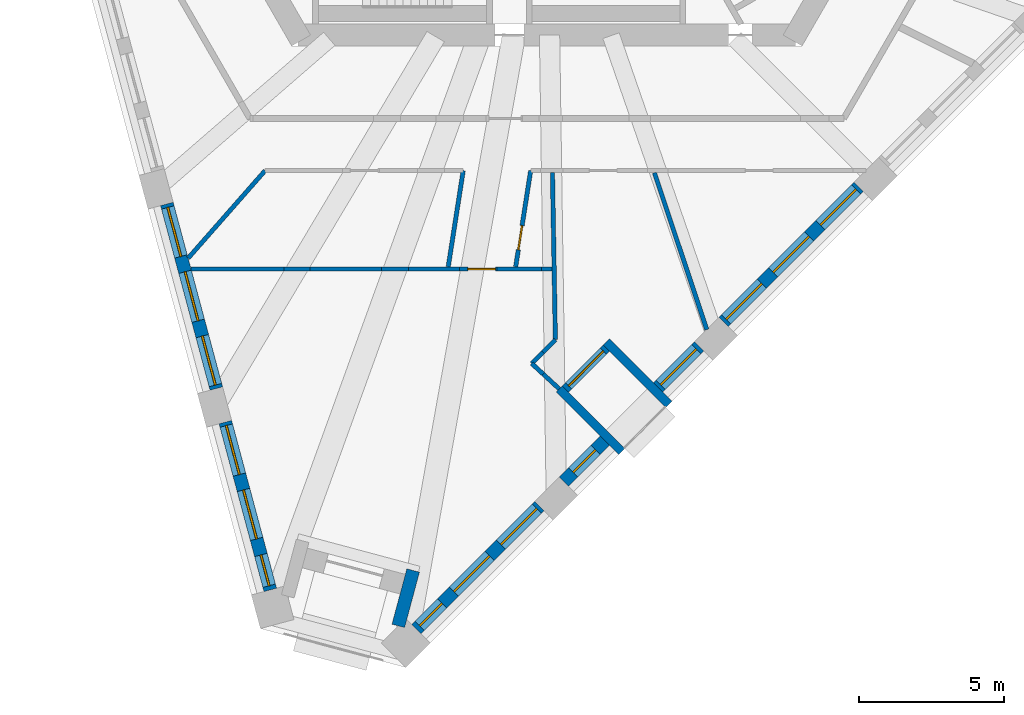
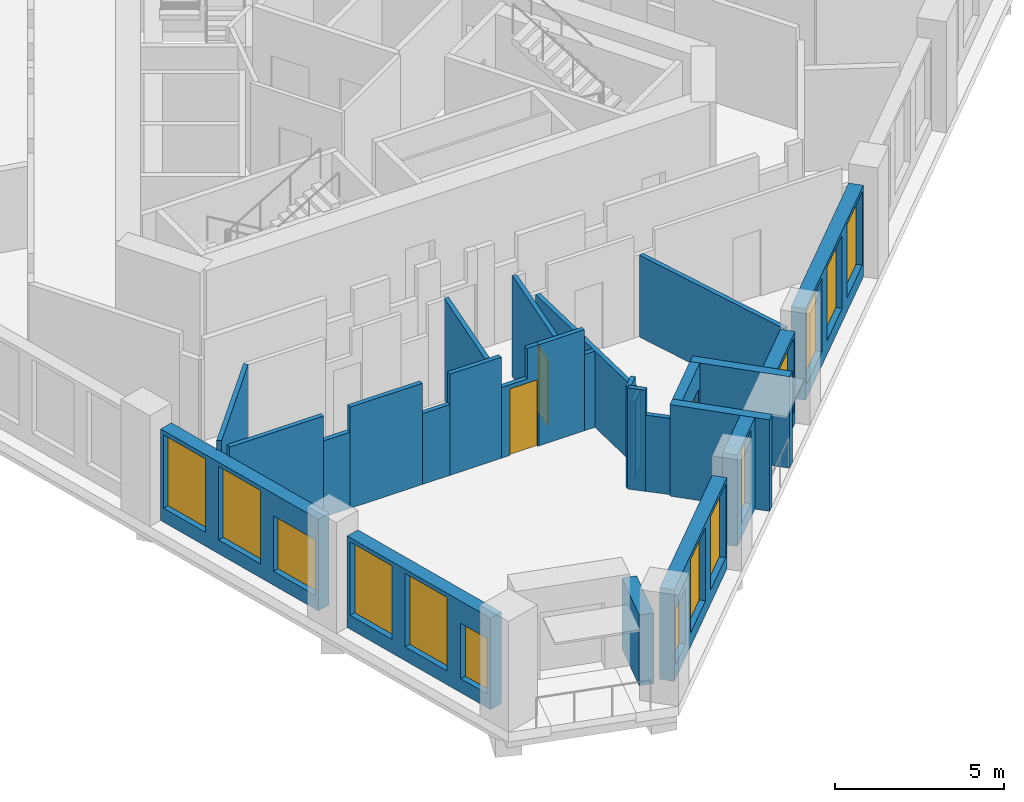
# One storey, part 2 of 13: 27 walls, 14 windows, 3 doors, 17 openings.
"""IFC4 building model written with IfcOpenShell, lengths in metres."""

from ifc_helpers import new_model, si_unit, direction, frame, frame_2d, origin, place, context, subcontext, project, spatial, polyline, rectangle, outline, extrude, material, layer, layer_set, type_object, element, fill, save


model = new_model("IFC4")

# Units and contexts
model_context = context("Model", 3, precision=1e-05, world=origin(), true_north=direction((0.0, 1.0)))
body_context = subcontext(model_context, "Body", "Model", "MODEL_VIEW")
ifc_project = project(units=[si_unit("LENGTHUNIT", "METRE"), si_unit("AREAUNIT", "SQUARE_METRE"), si_unit("VOLUMEUNIT", "CUBIC_METRE"), si_unit("PLANEANGLEUNIT", "RADIAN"), si_unit("MASSUNIT", "GRAM", prefix="KILO")], contexts=[model_context])

# Site, building, storey
site_placement = place(None, origin())
site = spatial("IfcSite", under=ifc_project, at=site_placement, CompositionType="ELEMENT")
building_placement = place(site_placement, origin())
building = spatial("IfcBuilding", under=site, at=building_placement, Name="Tramontana Tower", CompositionType="ELEMENT")
storey_placement = place(building_placement, frame((0.0, 0.0, 228.0)))
storey = spatial("IfcBuildingStorey", under=building, at=storey_placement, Name="L53", CompositionType="ELEMENT", Elevation=228.0)

# Wall, openings, windows
ifc_material_1 = material(Name="Precast concrete 60 MPa", Category="concrete")
ifc_layer_1 = layer(ifc_material_1, 0.449951171875)
ifc_layer_set_1 = layer_set([ifc_layer_1], Name="Precast concrete 60 MPa, 450 mm")
wall_type_1 = type_object("IfcWallType", Name="EW1 Stone-faced precast wall 450", PredefinedType="SOLIDWALL", material=ifc_layer_set_1)
wall_1_placement = place(storey_placement, frame((-13.11328125, -12.2041015625, 0.0), z_axis=(0.0, 0.0, 1.0), x_axis=(0.258835402268, -0.965921443251, 0.0)))
wall_1 = element("IfcWall", 1, at=wall_1_placement, inside=storey, type_object=wall_type_1, Name="External wall L53 face 0 bay 5", PredefinedType="SOLIDWALL", context=body_context, shape_type="SweptSolid", body=[
    extrude(rectangle(XDim=6.593994140625, YDim=0.449951171875, at=frame_2d((3.296875, 0.0))), origin(), (0.0, 0.0, 1.0), 3.300048828125),
])
opening_1_placement = place(wall_1_placement, frame((0.1240234375, 0.0, 0.5)))
opening_1 = element("IfcOpeningElement", 2, at=opening_1_placement, cuts=wall_1, Name="Opening M2", PredefinedType="OPENING", context=body_context, shape_type="SweptSolid", body=[
    extrude(rectangle(XDim=1.75, YDim=2.64990234375, at=frame_2d((0.875, 1.324951171875))), frame((0.0, 0.23486328125, 0.0), z_axis=(0.0, -1.0, 0.0), x_axis=(1.0, 0.0, 0.0)), (0.0, 0.0, 1.0), 0.469970703125),
])
opening_2_placement = place(wall_1_placement, frame((2.422119140625, 0.0, 0.5)))
opening_2 = element("IfcOpeningElement", 3, at=opening_2_placement, cuts=wall_1, Name="Opening M2", PredefinedType="OPENING", context=body_context, shape_type="SweptSolid", body=[
    extrude(rectangle(XDim=1.75, YDim=2.64990234375, at=frame_2d((0.875, 1.324951171875))), frame((0.0, 0.23486328125, 0.0), z_axis=(0.0, -1.0, 0.0), x_axis=(1.0, 0.0, 0.0)), (0.0, 0.0, 1.0), 0.469970703125),
])
opening_3_placement = place(wall_1_placement, frame((4.72021484375, 0.0, 0.5)))
opening_3 = element("IfcOpeningElement", 4, at=opening_3_placement, cuts=wall_1, Name="Opening M2L", PredefinedType="OPENING", context=body_context, shape_type="SweptSolid", body=[
    extrude(rectangle(XDim=1.75, YDim=2.0, at=frame_2d((0.875, 1.0))), frame((0.0, 0.23486328125, 0.0), z_axis=(0.0, -1.0, 0.0), x_axis=(1.0, 0.0, 0.0)), (0.0, 0.0, 1.0), 0.469970703125),
])
ifc_material_2 = material(Name="Aluminum frame, double glazing unit", Category="aluminium")
window_type_1 = type_object("IfcWindowType", Name="M2 Window 1.75 x 2.65", PartitioningType="SINGLE_PANEL", PredefinedType="WINDOW", material=ifc_material_2)
window_1_placement = place(opening_1_placement, origin())
window_1 = element("IfcWindow", 5, at=window_1_placement, inside=storey, type_object=window_type_1, Name="Window M2 L53 face 0 module 13", OverallHeight=2.64990234375, OverallWidth=1.75, PartitioningType="SINGLE_PANEL", PredefinedType="WINDOW", context=body_context, shape_type="SweptSolid", body=[
    extrude(rectangle(XDim=1.75, YDim=2.64990234375, at=frame_2d((0.875, 1.324951171875))), frame((0.0, 0.030029296875, 0.0), z_axis=(0.0, -1.0, 0.0), x_axis=(1.0, 0.0, 0.0)), (0.0, 0.0, 1.0), 0.06005859375),
])
fill(opening_1, window_1)
window_2_placement = place(opening_2_placement, origin())
window_2 = element("IfcWindow", 6, at=window_2_placement, inside=storey, type_object=window_type_1, Name="Window M2 L53 face 0 module 14", OverallHeight=2.64990234375, OverallWidth=1.75, PartitioningType="SINGLE_PANEL", PredefinedType="WINDOW", context=body_context, shape_type="SweptSolid", body=[
    extrude(rectangle(XDim=1.75, YDim=2.64990234375, at=frame_2d((0.875, 1.324951171875))), frame((0.0, 0.030029296875, 0.0), z_axis=(0.0, -1.0, 0.0), x_axis=(1.0, 0.0, 0.0)), (0.0, 0.0, 1.0), 0.06005859375),
])
fill(opening_2, window_2)
ifc_material_3 = material(Name="Aluminum frame, double glazing unit", Category="aluminium")
window_type_2 = type_object("IfcWindowType", Name="M2L Window 1.75 x 2", PartitioningType="SINGLE_PANEL", PredefinedType="WINDOW", material=ifc_material_3)
window_3_placement = place(opening_3_placement, origin())
window_3 = element("IfcWindow", 7, at=window_3_placement, inside=storey, type_object=window_type_2, Name="Window M2L L53 face 0 module 15", OverallHeight=2.0, OverallWidth=1.75, PartitioningType="SINGLE_PANEL", PredefinedType="WINDOW", context=body_context, shape_type="SweptSolid", body=[
    extrude(rectangle(XDim=1.75, YDim=2.0, at=frame_2d((0.875, 1.0))), frame((0.0, 0.030029296875, 0.0), z_axis=(0.0, -1.0, 0.0), x_axis=(1.0, 0.0, 0.0)), (0.0, 0.0, 1.0), 0.06005859375),
])
fill(opening_3, window_3)

wall_2_placement = place(storey_placement, frame((-11.095947265625, -19.732666015625, 0.0), z_axis=(0.0, 0.0, 1.0), x_axis=(0.258831089404, -0.965922598948, 0.0)))
wall_2 = element("IfcWall", 8, at=wall_2_placement, inside=storey, type_object=wall_type_1, Name="External wall L53 face 0 bay 6", PredefinedType="SOLIDWALL", context=body_context, shape_type="SweptSolid", body=[
    extrude(rectangle(XDim=5.994384765625, YDim=0.449951171875, at=frame_2d((2.9970703125, 0.0))), origin(), (0.0, 0.0, 1.0), 3.300048828125),
])
opening_4_placement = place(wall_2_placement, frame((0.1240234375, 0.0, 0.5)))
opening_4 = element("IfcOpeningElement", 9, at=opening_4_placement, cuts=wall_2, Name="Opening M2", PredefinedType="OPENING", context=body_context, shape_type="SweptSolid", body=[
    extrude(rectangle(XDim=1.75, YDim=2.64990234375, at=frame_2d((0.875, 1.324951171875))), frame((0.0, 0.23486328125, 0.0), z_axis=(0.0, -1.0, 0.0), x_axis=(1.0, 0.0, 0.0)), (0.0, 0.0, 1.0), 0.469970703125),
])
opening_5_placement = place(wall_2_placement, frame((2.422119140625, 0.0, 0.5)))
opening_5 = element("IfcOpeningElement", 10, at=opening_5_placement, cuts=wall_2, Name="Opening M2", PredefinedType="OPENING", context=body_context, shape_type="SweptSolid", body=[
    extrude(rectangle(XDim=1.75, YDim=2.64990234375, at=frame_2d((0.875, 1.324951171875))), frame((0.0, 0.23486328125, 0.0), z_axis=(0.0, -1.0, 0.0), x_axis=(1.0, 0.0, 0.0)), (0.0, 0.0, 1.0), 0.469970703125),
])
opening_6_placement = place(wall_2_placement, frame((4.7451171875, 0.0, 0.5)))
opening_6 = element("IfcOpeningElement", 11, at=opening_6_placement, cuts=wall_2, Name="Opening N2L", PredefinedType="OPENING", context=body_context, shape_type="SweptSolid", body=[
    extrude(rectangle(XDim=1.10009765625, YDim=2.0, at=frame_2d((0.550048828125, 1.0))), frame((0.0, 0.23486328125, 0.0), z_axis=(0.0, -1.0, 0.0), x_axis=(1.0, 0.0, 0.0)), (0.0, 0.0, 1.0), 0.469970703125),
])
window_4_placement = place(opening_4_placement, origin())
window_4 = element("IfcWindow", 12, at=window_4_placement, inside=storey, type_object=window_type_1, Name="Window M2 L53 face 0 module 16", OverallHeight=2.64990234375, OverallWidth=1.75, PartitioningType="SINGLE_PANEL", PredefinedType="WINDOW", context=body_context, shape_type="SweptSolid", body=[
    extrude(rectangle(XDim=1.75, YDim=2.64990234375, at=frame_2d((0.875, 1.324951171875))), frame((0.0, 0.030029296875, 0.0), z_axis=(0.0, -1.0, 0.0), x_axis=(1.0, 0.0, 0.0)), (0.0, 0.0, 1.0), 0.06005859375),
])
fill(opening_4, window_4)
window_5_placement = place(opening_5_placement, origin())
window_5 = element("IfcWindow", 13, at=window_5_placement, inside=storey, type_object=window_type_1, Name="Window M2 L53 face 0 module 17", OverallHeight=2.64990234375, OverallWidth=1.75, PartitioningType="SINGLE_PANEL", PredefinedType="WINDOW", context=body_context, shape_type="SweptSolid", body=[
    extrude(rectangle(XDim=1.75, YDim=2.64990234375, at=frame_2d((0.875, 1.324951171875))), frame((0.0, 0.030029296875, 0.0), z_axis=(0.0, -1.0, 0.0), x_axis=(1.0, 0.0, 0.0)), (0.0, 0.0, 1.0), 0.06005859375),
])
fill(opening_5, window_5)
ifc_material_4 = material(Name="Aluminum frame, double glazing unit", Category="aluminium")
window_type_3 = type_object("IfcWindowType", Name="N2L Window 1.1 x 2", PartitioningType="SINGLE_PANEL", PredefinedType="WINDOW", material=ifc_material_4)
window_6_placement = place(opening_6_placement, origin())
window_6 = element("IfcWindow", 14, at=window_6_placement, inside=storey, type_object=window_type_3, Name="Window N2L L53 face 0 module 18", OverallHeight=2.0, OverallWidth=1.10009765625, PartitioningType="SINGLE_PANEL", PredefinedType="WINDOW", context=body_context, shape_type="SweptSolid", body=[
    extrude(rectangle(XDim=1.10009765625, YDim=2.0, at=frame_2d((0.550048828125, 1.0))), frame((0.0, 0.030029296875, 0.0), z_axis=(0.0, -1.0, 0.0), x_axis=(1.0, 0.0, 0.0)), (0.0, 0.0, 1.0), 0.06005859375),
])
fill(opening_6, window_6)

wall_3_placement = place(storey_placement, frame((-4.49560546875, -26.87548828125, 0.0), z_axis=(0.0, 0.0, 1.0), x_axis=(0.707106781187, 0.707106781187, 0.0)))
wall_3 = element("IfcWall", 15, at=wall_3_placement, inside=storey, type_object=wall_type_1, Name="External wall L53 face 1 bay 1", PredefinedType="SOLIDWALL", context=body_context, shape_type="SweptSolid", body=[
    extrude(rectangle(XDim=5.994140625, YDim=0.449951171875, at=frame_2d((2.9970703125, 0.0))), origin(), (0.0, 0.0, 1.0), 3.300048828125),
])
opening_7_placement = place(wall_3_placement, frame((0.14892578125, 0.0, 0.5)))
opening_7 = element("IfcOpeningElement", 16, at=opening_7_placement, cuts=wall_3, Name="Opening N2L", PredefinedType="OPENING", context=body_context, shape_type="SweptSolid", body=[
    extrude(rectangle(XDim=1.10009765625, YDim=2.0, at=frame_2d((0.550048828125, 1.0))), frame((0.0, 0.23486328125, 0.0), z_axis=(0.0, -1.0, 0.0), x_axis=(1.0, 0.0, 0.0)), (0.0, 0.0, 1.0), 0.469970703125),
])
opening_8_placement = place(wall_3_placement, frame((1.822021484375, 0.0, 0.5)))
opening_8 = element("IfcOpeningElement", 17, at=opening_8_placement, cuts=wall_3, Name="Opening M2", PredefinedType="OPENING", context=body_context, shape_type="SweptSolid", body=[
    extrude(rectangle(XDim=1.75, YDim=2.64990234375, at=frame_2d((0.875, 1.324951171875))), frame((0.0, 0.23486328125, 0.0), z_axis=(0.0, -1.0, 0.0), x_axis=(1.0, 0.0, 0.0)), (0.0, 0.0, 1.0), 0.469970703125),
])
opening_9_placement = place(wall_3_placement, frame((4.1201171875, 0.0, 0.5)))
opening_9 = element("IfcOpeningElement", 18, at=opening_9_placement, cuts=wall_3, Name="Opening M2", PredefinedType="OPENING", context=body_context, shape_type="SweptSolid", body=[
    extrude(rectangle(XDim=1.75, YDim=2.64990234375, at=frame_2d((0.875, 1.324951171875))), frame((0.0, 0.23486328125, 0.0), z_axis=(0.0, -1.0, 0.0), x_axis=(1.0, 0.0, 0.0)), (0.0, 0.0, 1.0), 0.469970703125),
])
window_7_placement = place(opening_8_placement, origin())
window_7 = element("IfcWindow", 19, at=window_7_placement, inside=storey, type_object=window_type_1, Name="Window M2 L53 face 1 module 2", OverallHeight=2.64990234375, OverallWidth=1.75, PartitioningType="SINGLE_PANEL", PredefinedType="WINDOW", context=body_context, shape_type="SweptSolid", body=[
    extrude(rectangle(XDim=1.75, YDim=2.64990234375, at=frame_2d((0.875, 1.324951171875))), frame((0.0, 0.030029296875, 0.0), z_axis=(0.0, -1.0, 0.0), x_axis=(1.0, 0.0, 0.0)), (0.0, 0.0, 1.0), 0.06005859375),
])
fill(opening_8, window_7)
window_8_placement = place(opening_9_placement, origin())
window_8 = element("IfcWindow", 20, at=window_8_placement, inside=storey, type_object=window_type_1, Name="Window M2 L53 face 1 module 3", OverallHeight=2.64990234375, OverallWidth=1.75, PartitioningType="SINGLE_PANEL", PredefinedType="WINDOW", context=body_context, shape_type="SweptSolid", body=[
    extrude(rectangle(XDim=1.75, YDim=2.64990234375, at=frame_2d((0.875, 1.324951171875))), frame((0.0, 0.030029296875, 0.0), z_axis=(0.0, -1.0, 0.0), x_axis=(1.0, 0.0, 0.0)), (0.0, 0.0, 1.0), 0.06005859375),
])
fill(opening_9, window_8)
window_9_placement = place(opening_7_placement, origin())
window_9 = element("IfcWindow", 21, at=window_9_placement, inside=storey, type_object=window_type_3, Name="Window N2L L53 face 1 module 1", OverallHeight=2.0, OverallWidth=1.10009765625, PartitioningType="SINGLE_PANEL", PredefinedType="WINDOW", context=body_context, shape_type="SweptSolid", body=[
    extrude(rectangle(XDim=1.10009765625, YDim=2.0, at=frame_2d((0.550048828125, 1.0))), frame((0.0, 0.030029296875, 0.0), z_axis=(0.0, -1.0, 0.0), x_axis=(1.0, 0.0, 0.0)), (0.0, 0.0, 1.0), 0.06005859375),
])
fill(opening_7, window_9)

# Wall, opening, window
wall_4_placement = place(storey_placement, frame((0.591552734375, -21.788330078125, 0.0), z_axis=(0.0, 0.0, 1.0), x_axis=(0.707106781187, 0.707106781187, 0.0)))
wall_4 = element("IfcWall", 22, at=wall_4_placement, inside=storey, type_object=wall_type_1, Name="External wall L53 face 1 bay 2", PredefinedType="SOLIDWALL", context=body_context, shape_type="SweptSolid", body=[
    extrude(rectangle(XDim=1.998046875, YDim=0.449951171875, at=frame_2d((0.9990234375, 0.0))), origin(), (0.0, 0.0, 1.0), 3.300048828125),
])
opening_10_placement = place(wall_4_placement, frame((0.448974609375, 0.0, 0.5)))
opening_10 = element("IfcOpeningElement", 23, at=opening_10_placement, cuts=wall_4, Name="Opening N2", PredefinedType="OPENING", context=body_context, shape_type="SweptSolid", body=[
    extrude(rectangle(XDim=1.10009765625, YDim=2.64990234375, at=frame_2d((0.550048828125, 1.324951171875))), frame((0.0, 0.23486328125, 0.0), z_axis=(0.0, -1.0, 0.0), x_axis=(1.0, 0.0, 0.0)), (0.0, 0.0, 1.0), 0.469970703125),
])
ifc_material_5 = material(Name="Aluminum frame, double glazing unit", Category="aluminium")
window_type_4 = type_object("IfcWindowType", Name="N2 Window 1.1 x 2.65", PartitioningType="SINGLE_PANEL", PredefinedType="WINDOW", material=ifc_material_5)
window_10_placement = place(opening_10_placement, origin())
window_10 = element("IfcWindow", 24, at=window_10_placement, inside=storey, type_object=window_type_4, Name="Window N2 L53 face 1 module 4", OverallHeight=2.64990234375, OverallWidth=1.10009765625, PartitioningType="SINGLE_PANEL", PredefinedType="WINDOW", context=body_context, shape_type="SweptSolid", body=[
    extrude(rectangle(XDim=1.10009765625, YDim=2.64990234375, at=frame_2d((0.550048828125, 1.324951171875))), frame((0.0, 0.030029296875, 0.0), z_axis=(0.0, -1.0, 0.0), x_axis=(1.0, 0.0, 0.0)), (0.0, 0.0, 1.0), 0.06005859375),
])
fill(opening_10, window_10)

wall_5_placement = place(storey_placement, frame((3.841552734375, -18.538330078125, 0.0), z_axis=(0.0, 0.0, 1.0), x_axis=(0.707106781187, 0.707106781187, 0.0)))
wall_5 = element("IfcWall", 25, at=wall_5_placement, inside=storey, type_object=wall_type_1, Name="External wall L53 face 1 bay 2", PredefinedType="SOLIDWALL", context=body_context, shape_type="SweptSolid", body=[
    extrude(rectangle(XDim=1.998046875, YDim=0.449951171875, at=frame_2d((0.9990234375, 0.0))), origin(), (0.0, 0.0, 1.0), 3.300048828125),
])
opening_11_placement = place(wall_5_placement, frame((0.1240234375, 0.0, 0.5)))
opening_11 = element("IfcOpeningElement", 26, at=opening_11_placement, cuts=wall_5, Name="Opening M2", PredefinedType="OPENING", context=body_context, shape_type="SweptSolid", body=[
    extrude(rectangle(XDim=1.75, YDim=2.64990234375, at=frame_2d((0.875, 1.324951171875))), frame((0.0, 0.23486328125, 0.0), z_axis=(0.0, -1.0, 0.0), x_axis=(1.0, 0.0, 0.0)), (0.0, 0.0, 1.0), 0.469970703125),
])
window_11_placement = place(opening_11_placement, origin())
window_11 = element("IfcWindow", 27, at=window_11_placement, inside=storey, type_object=window_type_1, Name="Window M2 L53 face 1 module 6", OverallHeight=2.64990234375, OverallWidth=1.75, PartitioningType="SINGLE_PANEL", PredefinedType="WINDOW", context=body_context, shape_type="SweptSolid", body=[
    extrude(rectangle(XDim=1.75, YDim=2.64990234375, at=frame_2d((0.875, 1.324951171875))), frame((0.0, 0.030029296875, 0.0), z_axis=(0.0, -1.0, 0.0), x_axis=(1.0, 0.0, 0.0)), (0.0, 0.0, 1.0), 0.06005859375),
])
fill(opening_11, window_11)

# Wall, openings, windows
wall_6_placement = place(storey_placement, frame((6.102783203125, -16.277099609375, 0.0), z_axis=(0.0, 0.0, 1.0), x_axis=(0.707106781187, 0.707106781187, 0.0)))
wall_6 = element("IfcWall", 28, at=wall_6_placement, inside=storey, type_object=wall_type_1, Name="External wall L53 face 1 bay 3", PredefinedType="SOLIDWALL", context=body_context, shape_type="SweptSolid", body=[
    extrude(rectangle(XDim=6.59423828125, YDim=0.449951171875, at=frame_2d((3.297119140625, 0.0))), origin(), (0.0, 0.0, 1.0), 3.300048828125),
])
opening_12_placement = place(wall_6_placement, frame((0.1240234375, 0.0, 0.5)))
opening_12 = element("IfcOpeningElement", 29, at=opening_12_placement, cuts=wall_6, Name="Opening M2", PredefinedType="OPENING", context=body_context, shape_type="SweptSolid", body=[
    extrude(rectangle(XDim=1.75, YDim=2.64990234375, at=frame_2d((0.875, 1.324951171875))), frame((0.0, 0.23486328125, 0.0), z_axis=(0.0, -1.0, 0.0), x_axis=(1.0, 0.0, 0.0)), (0.0, 0.0, 1.0), 0.469970703125),
])
opening_13_placement = place(wall_6_placement, frame((2.422119140625, 0.0, 0.5)))
opening_13 = element("IfcOpeningElement", 30, at=opening_13_placement, cuts=wall_6, Name="Opening M2", PredefinedType="OPENING", context=body_context, shape_type="SweptSolid", body=[
    extrude(rectangle(XDim=1.75, YDim=2.64990234375, at=frame_2d((0.875, 1.324951171875))), frame((0.0, 0.23486328125, 0.0), z_axis=(0.0, -1.0, 0.0), x_axis=(1.0, 0.0, 0.0)), (0.0, 0.0, 1.0), 0.469970703125),
])
opening_14_placement = place(wall_6_placement, frame((4.72021484375, 0.0, 0.5)))
opening_14 = element("IfcOpeningElement", 31, at=opening_14_placement, cuts=wall_6, Name="Opening M2", PredefinedType="OPENING", context=body_context, shape_type="SweptSolid", body=[
    extrude(rectangle(XDim=1.75, YDim=2.64990234375, at=frame_2d((0.875, 1.324951171875))), frame((0.0, 0.23486328125, 0.0), z_axis=(0.0, -1.0, 0.0), x_axis=(1.0, 0.0, 0.0)), (0.0, 0.0, 1.0), 0.469970703125),
])
window_12_placement = place(opening_12_placement, origin())
window_12 = element("IfcWindow", 32, at=window_12_placement, inside=storey, type_object=window_type_1, Name="Window M2 L53 face 1 module 7", OverallHeight=2.64990234375, OverallWidth=1.75, PartitioningType="SINGLE_PANEL", PredefinedType="WINDOW", context=body_context, shape_type="SweptSolid", body=[
    extrude(rectangle(XDim=1.75, YDim=2.64990234375, at=frame_2d((0.875, 1.324951171875))), frame((0.0, 0.030029296875, 0.0), z_axis=(0.0, -1.0, 0.0), x_axis=(1.0, 0.0, 0.0)), (0.0, 0.0, 1.0), 0.06005859375),
])
fill(opening_12, window_12)
window_13_placement = place(opening_13_placement, origin())
window_13 = element("IfcWindow", 33, at=window_13_placement, inside=storey, type_object=window_type_1, Name="Window M2 L53 face 1 module 8", OverallHeight=2.64990234375, OverallWidth=1.75, PartitioningType="SINGLE_PANEL", PredefinedType="WINDOW", context=body_context, shape_type="SweptSolid", body=[
    extrude(rectangle(XDim=1.75, YDim=2.64990234375, at=frame_2d((0.875, 1.324951171875))), frame((0.0, 0.030029296875, 0.0), z_axis=(0.0, -1.0, 0.0), x_axis=(1.0, 0.0, 0.0)), (0.0, 0.0, 1.0), 0.06005859375),
])
fill(opening_13, window_13)
window_14_placement = place(opening_14_placement, origin())
window_14 = element("IfcWindow", 34, at=window_14_placement, inside=storey, type_object=window_type_1, Name="Window M2 L53 face 1 module 9", OverallHeight=2.64990234375, OverallWidth=1.75, PartitioningType="SINGLE_PANEL", PredefinedType="WINDOW", context=body_context, shape_type="SweptSolid", body=[
    extrude(rectangle(XDim=1.75, YDim=2.64990234375, at=frame_2d((0.875, 1.324951171875))), frame((0.0, 0.030029296875, 0.0), z_axis=(0.0, -1.0, 0.0), x_axis=(1.0, 0.0, 0.0)), (0.0, 0.0, 1.0), 0.06005859375),
])
fill(opening_14, window_14)

# Wall
wall_7_placement = place(storey_placement, frame((-5.126708984375, -26.76416015625, 0.0), z_axis=(0.0, 0.0, 1.0), x_axis=(0.258814190615, 0.965927127032, 0.0)))
element("IfcWall", 35, at=wall_7_placement, inside=storey, type_object=wall_type_1, Name="Corner loggia side wall L53 K51l", PredefinedType="SOLIDWALL", context=body_context, shape_type="SweptSolid", body=[
    extrude(rectangle(XDim=1.97900390625, YDim=0.449951171875, at=frame_2d((0.989501953125, 0.0))), origin(), (0.0, 0.0, 1.0), 2.550048828125),
])

# Wall, opening, door
ifc_material_6 = material(Name="Precast concrete 60 MPa", Category="concrete")
ifc_layer_2 = layer(ifc_material_6, 0.300048828125)
ifc_layer_set_2 = layer_set([ifc_layer_2], Name="LW1 Stone-faced loggia wall 300")
wall_type_2 = type_object("IfcWallType", Name="LW1 Stone-faced loggia wall 300", PredefinedType="SOLIDWALL", material=ifc_layer_set_2)
wall_8_placement = place(storey_placement, frame((0.643310546875, -18.590087890625, 0.0), z_axis=(0.0, 0.0, 1.0), x_axis=(0.707106781187, 0.707106781187, 0.0)))
wall_8 = element("IfcWall", 36, at=wall_8_placement, inside=storey, type_object=wall_type_2, Name="Loggia wall L53 G5S1.4", PredefinedType="SOLIDWALL", context=body_context, shape_type="SweptSolid", body=[
    extrude(rectangle(XDim=1.998046875, YDim=0.300048828125, at=frame_2d((0.9990234375, 0.0))), origin(), (0.0, 0.0, 1.0), 3.300048828125),
])
opening_15_placement = place(wall_8_placement, frame((0.14892578125, 0.0, 0.0)))
opening_15 = element("IfcOpeningElement", 37, at=opening_15_placement, cuts=wall_8, Name="Opening BD-5S1-04", PredefinedType="OPENING", context=body_context, shape_type="SweptSolid", body=[
    extrude(rectangle(XDim=1.699951171875, YDim=2.449951171875, at=frame_2d((0.85009765625, 1.22509765625))), frame((0.0, 0.159912109375, 0.0), z_axis=(0.0, -1.0, 0.0), x_axis=(1.0, 0.0, 0.0)), (0.0, 0.0, 1.0), 0.320068359375),
])
ifc_material_7 = material(Name="Aluminum frame, double glazing unit", Category="aluminium")
door_type_1 = type_object("IfcDoorType", Name="BD2 Sliding door 1.7 x 2.45", OperationType="SLIDING_TO_LEFT", PredefinedType="DOOR", material=ifc_material_7)
door_1_placement = place(opening_15_placement, origin())
door_1 = element("IfcDoor", 38, at=door_1_placement, inside=storey, type_object=door_type_1, Name="Loggia door L53 G5S1.4", OperationType="SLIDING_TO_LEFT", OverallHeight=2.449951171875, OverallWidth=1.699951171875, PredefinedType="DOOR", context=body_context, shape_type="SweptSolid", body=[
    extrude(rectangle(XDim=1.699951171875, YDim=2.449951171875, at=frame_2d((0.85009765625, 1.22509765625))), frame((0.0, 0.02490234375, 0.0), z_axis=(0.0, -1.0, 0.0), x_axis=(1.0, 0.0, 0.0)), (0.0, 0.0, 1.0), 0.050048828125),
])
fill(opening_15, door_1)

# Walls
for number, where, z_axis, x_axis, name in (
    (39, (2.587646484375, -20.746826171875, 0.0), (0.0, 0.0, 1.0), (-0.707066755897, 0.707146804211, 0.0), "Loggia return L53 G5S1.4a"),
    (40, (4.212646484375, -19.121826171875, 0.0), (0.0, 0.0, 1.0), (-0.707066755897, 0.707146804211, 0.0), "Loggia return L53 G5S1.4b"),
):
    element("IfcWall", number, at=place(storey_placement, frame(where, z_axis=z_axis, x_axis=x_axis)), inside=storey, type_object=wall_type_2, Name=name, PredefinedType="SOLIDWALL", context=body_context, shape_type="SweptSolid", body=[
        extrude(rectangle(XDim=3.0498046875, YDim=0.300048828125, at=frame_2d((1.52490234375, 0.0))), origin(), (0.0, 0.0, 1.0), 3.300048828125),
    ])
ifc_material_8 = material(Name="Gypsum board partition")
ifc_layer_3 = layer(ifc_material_8, 0.14990234375)
ifc_layer_set_3 = layer_set([ifc_layer_3], Name="PARTITION 150")
wall_type_3 = type_object("IfcWallType", Name="PARTITION 150", PredefinedType="PARTITIONING", material=ifc_layer_set_3)
wall_9_placement = place(storey_placement, frame((-9.72216796875, -11.052001953125, 0.0), z_axis=(0.0, 0.0, 1.0), x_axis=(-0.660358385228, -0.750950599613, 0.0)))
element("IfcWall", 41, at=wall_9_placement, inside=storey, type_object=wall_type_3, Name="Wall v52-pw06", PredefinedType="PARTITIONING", context=body_context, shape_type="SweptSolid", body=[
    extrude(rectangle(XDim=4.0234375, YDim=0.14990234375, at=frame_2d((2.01171875, 0.0))), origin(), (0.0, 0.0, 1.0), 3.64990234375),
])
wall_10_placement = place(storey_placement, frame((-3.40380859375, -14.375, 0.0), z_axis=(0.0, 0.0, 1.0), x_axis=(0.153967004647, 0.98807598973, 0.0)))
element("IfcWall", 42, at=wall_10_placement, inside=storey, type_object=wall_type_3, Name="Wall v52-pw15", PredefinedType="PARTITIONING", context=body_context, shape_type="SweptSolid", body=[
    extrude(rectangle(XDim=3.361572265625, YDim=0.14990234375, at=frame_2d((1.6806640625, 0.0))), origin(), (0.0, 0.0, 1.0), 3.64990234375),
])

# Wall, opening, door
wall_11_placement = place(storey_placement, frame((-0.558349609375, -11.052490234375, 0.0), z_axis=(0.0, 0.0, 1.0), x_axis=(-0.154004754278, -0.988070106652, 0.0)))
wall_11 = element("IfcWall", 43, at=wall_11_placement, inside=storey, type_object=wall_type_3, Name="Wall v52-pw17", PredefinedType="PARTITIONING", context=body_context, shape_type="SweptSolid", body=[
    extrude(rectangle(XDim=3.3623046875, YDim=0.14990234375, at=frame_2d((1.68115234375, 0.0))), origin(), (0.0, 0.0, 1.0), 3.64990234375),
])
opening_16_placement = place(wall_11_placement, frame((1.919921875, 0.0, 0.0)))
opening_16 = element("IfcOpeningElement", 44, at=opening_16_placement, cuts=wall_11, Name="Opening B5C-07", PredefinedType="OPENING", context=body_context, shape_type="SweptSolid", body=[
    extrude(rectangle(XDim=0.85009765625, YDim=2.39990234375, at=frame_2d((0.425048828125, 1.199951171875))), frame((0.0, 0.0849609375, 0.0), z_axis=(0.0, -1.0, 0.0), x_axis=(1.0, 0.0, 0.0)), (0.0, 0.0, 1.0), 0.169921875),
])
ifc_material_9 = material(Name="Painted timber", Category="wood")
door_type_2 = type_object("IfcDoorType", Name="DOOR BATH 850", OperationType="SINGLE_SWING_LEFT", PredefinedType="DOOR", material=ifc_material_9)
door_2_placement = place(opening_16_placement, origin())
door_2 = element("IfcDoor", 45, at=door_2_placement, inside=storey, type_object=door_type_2, Name="Door B5C-07", OperationType="SINGLE_SWING_LEFT", OverallHeight=2.39990234375, OverallWidth=0.85009765625, PredefinedType="DOOR", context=body_context, shape_type="SweptSolid", body=[
    extrude(rectangle(XDim=0.85009765625, YDim=2.39990234375, at=frame_2d((0.425048828125, 1.199951171875))), frame((0.0, 0.02490234375, 0.0), z_axis=(0.0, -1.0, 0.0), x_axis=(1.0, 0.0, 0.0)), (0.0, 0.0, 1.0), 0.050048828125),
])
fill(opening_16, door_2)

# Walls
wall_12_placement = place(storey_placement, frame((-0.5224609375, -17.70751953125, 0.0), z_axis=(0.0, 0.0, 1.0), x_axis=(0.733993003805, -0.67915702924, 0.0)))
element("IfcWall", 46, at=wall_12_placement, inside=storey, type_object=wall_type_3, Name="Wall v52-pw18-0", PredefinedType="PARTITIONING", context=body_context, shape_type="SweptSolid", body=[
    extrude(rectangle(XDim=0.543212890625, YDim=0.14990234375, at=frame_2d((0.271484375, 0.0))), origin(), (0.0, 0.0, 1.0), 3.64990234375),
])
wall_13_placement = place(storey_placement, frame((-0.123779296875, -18.076416015625, 0.0), z_axis=(0.0, 0.0, 1.0), x_axis=(0.733862006867, -0.679298575648, 0.0)))
element("IfcWall", 47, at=wall_13_placement, inside=storey, type_object=wall_type_3, Name="Wall v52-pw18-1", PredefinedType="PARTITIONING", context=body_context, shape_type="SweptSolid", body=[
    extrude(rectangle(XDim=0.756103515625, YDim=0.14990234375, at=frame_2d((0.3779296875, 0.0))), origin(), (0.0, 0.0, 1.0), 2.75),
])
wall_14_placement = place(storey_placement, frame((0.193359375, -11.125, 0.0), z_axis=(0.0, 0.0, 1.0), x_axis=(0.0174067151, -0.999848491657, 0.0)))
element("IfcWall", 48, at=wall_14_placement, inside=storey, type_object=wall_type_3, Name="Wall v52-pw19-0", PredefinedType="PARTITIONING", context=body_context, shape_type="SweptSolid", body=[
    extrude(rectangle(XDim=5.7646484375, YDim=0.14990234375, at=frame_2d((2.88232421875, 0.0))), origin(), (0.0, 0.0, 1.0), 2.75),
])
wall_15_placement = place(storey_placement, frame((0.176025390625, -14.449951171875, 0.0), z_axis=(0.0, 0.0, 1.0), x_axis=(-1.0, 0.0, 0.0)))
element("IfcWall", 49, at=wall_15_placement, inside=storey, type_object=wall_type_3, Name="Wall v52-pw20-0", PredefinedType="PARTITIONING", context=body_context, shape_type="SweptSolid", body=[
    extrude(rectangle(XDim=0.352783203125, YDim=0.14990234375, at=frame_2d((0.17626953125, 0.0))), origin(), (0.0, 0.0, 1.0), 2.75),
])
wall_16_placement = place(storey_placement, frame((-0.1767578125, -14.449951171875, 0.0), z_axis=(0.0, 0.0, 1.0), x_axis=(-1.0, 0.0, 0.0)))
element("IfcWall", 50, at=wall_16_placement, inside=storey, type_object=wall_type_3, Name="Wall v52-pw20-1", PredefinedType="PARTITIONING", context=body_context, shape_type="SweptSolid", body=[
    extrude(rectangle(XDim=1.549560546875, YDim=0.14990234375, at=frame_2d((0.77490234375, 0.0))), origin(), (0.0, 0.0, 1.0), 3.64990234375),
])

# Wall, opening, door
wall_17_placement = place(storey_placement, frame((-1.726318359375, -14.449951171875, 0.0), z_axis=(0.0, 0.0, 1.0), x_axis=(-1.0, 0.0, 0.0)))
wall_17 = element("IfcWall", 51, at=wall_17_placement, inside=storey, type_object=wall_type_3, Name="Wall v52-pw20-2", PredefinedType="PARTITIONING", context=body_context, shape_type="SweptSolid", body=[
    extrude(outline(polyline([(0.0, 0.0), (1.2890625, 0.0), (1.2890625, 2.550048828125), (0.400146484375, 2.550048828125), (0.400146484375, 3.64990234375), (0.0, 3.64990234375), (0.0, 0.0)])), frame((0.0, 0.074951171875, 0.0), z_axis=(0.0, -1.0, 0.0), x_axis=(1.0, 0.0, 0.0)), (0.0, 0.0, 1.0), 0.14990234375),
])
opening_17_placement = place(wall_17_placement, frame((0.050048828125, 0.0, 0.0)))
opening_17 = element("IfcOpeningElement", 52, at=opening_17_placement, cuts=wall_17, Name="Opening B5C-08", PredefinedType="OPENING", context=body_context, shape_type="SweptSolid", body=[
    extrude(rectangle(XDim=0.949951171875, YDim=2.39990234375, at=frame_2d((0.47509765625, 1.199951171875))), frame((0.0, 0.0849609375, 0.0), z_axis=(0.0, -1.0, 0.0), x_axis=(1.0, 0.0, 0.0)), (0.0, 0.0, 1.0), 0.169921875),
])
ifc_material_10 = material(Name="Painted timber", Category="wood")
door_type_3 = type_object("IfcDoorType", Name="DOOR ROOM 950", OperationType="SINGLE_SWING_LEFT", PredefinedType="DOOR", material=ifc_material_10)
door_3_placement = place(opening_17_placement, origin())
door_3 = element("IfcDoor", 53, at=door_3_placement, inside=storey, type_object=door_type_3, Name="Door B5C-08", OperationType="SINGLE_SWING_RIGHT", OverallHeight=2.39990234375, OverallWidth=0.949951171875, PredefinedType="DOOR", context=body_context, shape_type="SweptSolid", body=[
    extrude(rectangle(XDim=0.949951171875, YDim=2.39990234375, at=frame_2d((0.47509765625, 1.199951171875))), frame((0.0, 0.02490234375, 0.0), z_axis=(0.0, -1.0, 0.0), x_axis=(1.0, 0.0, 0.0)), (0.0, 0.0, 1.0), 0.050048828125),
])
fill(opening_17, door_3)

# Walls
wall_18_placement = place(storey_placement, frame((-3.015380859375, -14.449951171875, 0.0), z_axis=(0.0, 0.0, 1.0), x_axis=(-1.0, 0.0, 0.0)))
element("IfcWall", 54, at=wall_18_placement, inside=storey, type_object=wall_type_3, Name="Wall v52-pw20-3", PredefinedType="PARTITIONING", context=body_context, shape_type="SweptSolid", body=[
    extrude(rectangle(XDim=1.75341796875, YDim=0.14990234375, at=frame_2d((0.876708984375, 0.0))), origin(), (0.0, 0.0, 1.0), 3.64990234375),
])
wall_19_placement = place(storey_placement, frame((-4.768798828125, -14.449951171875, 0.0), z_axis=(0.0, 0.0, 1.0), x_axis=(-1.0, 0.0, 0.0)))
element("IfcWall", 55, at=wall_19_placement, inside=storey, type_object=wall_type_3, Name="Wall v52-pw20-4", PredefinedType="PARTITIONING", context=body_context, shape_type="SweptSolid", body=[
    extrude(rectangle(XDim=0.930419921875, YDim=0.14990234375, at=frame_2d((0.46533203125, 0.0))), origin(), (0.0, 0.0, 1.0), 2.550048828125),
])
wall_20_placement = place(storey_placement, frame((-5.69921875, -14.449951171875, 0.0), z_axis=(0.0, 0.0, 1.0), x_axis=(-1.0, 0.0, 0.0)))
element("IfcWall", 56, at=wall_20_placement, inside=storey, type_object=wall_type_3, Name="Wall v52-pw20-5", PredefinedType="PARTITIONING", context=body_context, shape_type="SweptSolid", body=[
    extrude(rectangle(XDim=2.4755859375, YDim=0.14990234375, at=frame_2d((1.23779296875, 0.0))), origin(), (0.0, 0.0, 1.0), 3.64990234375),
])
wall_21_placement = place(storey_placement, frame((-8.1748046875, -14.449951171875, 0.0), z_axis=(0.0, 0.0, 1.0), x_axis=(-1.0, 0.0, 0.0)))
element("IfcWall", 57, at=wall_21_placement, inside=storey, type_object=wall_type_3, Name="Wall v52-pw20-6", PredefinedType="PARTITIONING", context=body_context, shape_type="SweptSolid", body=[
    extrude(rectangle(XDim=0.902587890625, YDim=0.14990234375, at=frame_2d((0.451171875, 0.0))), origin(), (0.0, 0.0, 1.0), 2.75),
])
wall_22_placement = place(storey_placement, frame((-9.077392578125, -14.449951171875, 0.0), z_axis=(0.0, 0.0, 1.0), x_axis=(-1.0, 0.0, 0.0)))
element("IfcWall", 58, at=wall_22_placement, inside=storey, type_object=wall_type_3, Name="Wall v52-pw20-7", PredefinedType="PARTITIONING", context=body_context, shape_type="SweptSolid", body=[
    extrude(rectangle(XDim=3.201171875, YDim=0.14990234375, at=frame_2d((1.6005859375, 0.0))), origin(), (0.0, 0.0, 1.0), 3.64990234375),
])
wall_23_placement = place(storey_placement, frame((0.29345703125, -16.888916015625, 0.0), z_axis=(0.0, 0.0, 1.0), x_axis=(-0.707106781187, -0.707106781187, 0.0)))
element("IfcWall", 59, at=wall_23_placement, inside=storey, type_object=wall_type_3, Name="Wall v52-pw21-0", PredefinedType="PARTITIONING", context=body_context, shape_type="SweptSolid", body=[
    extrude(rectangle(XDim=0.60595703125, YDim=0.14990234375, at=frame_2d((0.302978515625, 0.0))), origin(), (0.0, 0.0, 1.0), 2.75),
])
wall_24_placement = place(storey_placement, frame((-0.135009765625, -17.3173828125, 0.0), z_axis=(0.0, 0.0, 1.0), x_axis=(-0.707106781187, -0.707106781187, 0.0)))
element("IfcWall", 60, at=wall_24_placement, inside=storey, type_object=wall_type_3, Name="Wall v52-pw21-1", PredefinedType="PARTITIONING", context=body_context, shape_type="SweptSolid", body=[
    extrude(rectangle(XDim=0.5478515625, YDim=0.14990234375, at=frame_2d((0.27392578125, 0.0))), origin(), (0.0, 0.0, 1.0), 3.64990234375),
])
wall_25_placement = place(storey_placement, frame((3.7119140625, -11.125, 0.0), z_axis=(0.0, 0.0, 1.0), x_axis=(0.31652272734, -0.948584926655, 0.0)))
element("IfcWall", 61, at=wall_25_placement, inside=storey, type_object=wall_type_3, Name="Wall v52-pw23-0", PredefinedType="PARTITIONING", context=body_context, shape_type="SweptSolid", body=[
    extrude(rectangle(XDim=5.7109375, YDim=0.14990234375, at=frame_2d((2.85546875, 0.0))), origin(), (0.0, 0.0, 1.0), 2.949951171875),
])

save(model, "model.ifc")
